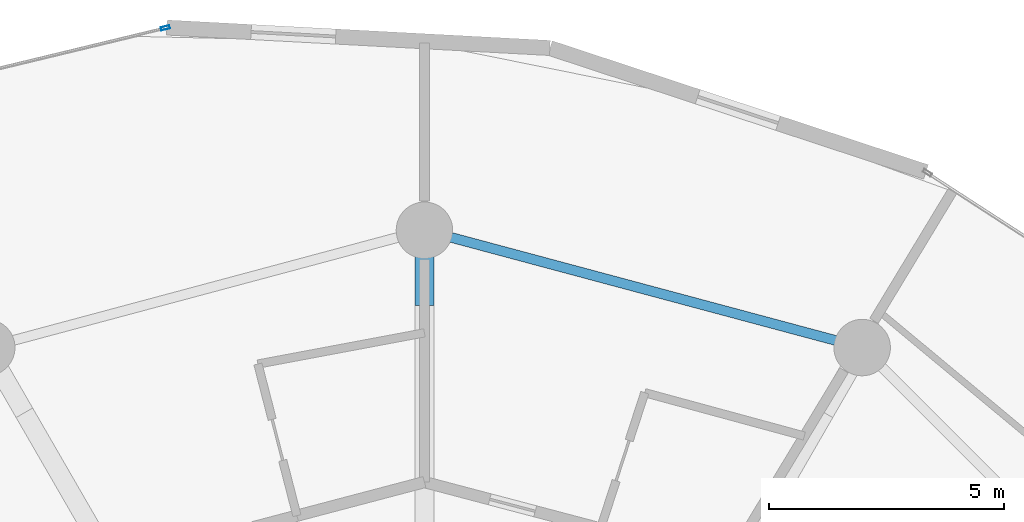
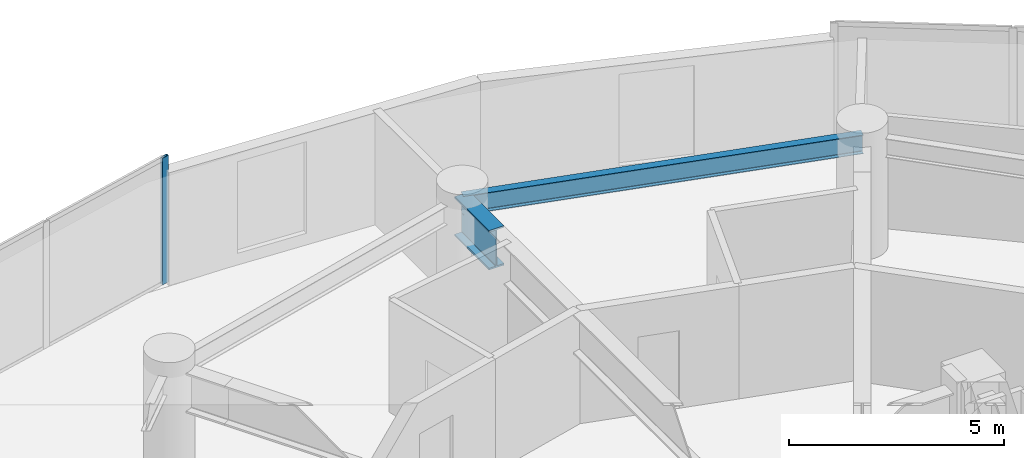
# One storey, part 15 of 24: 2 beams, 1 member, 1 element without a shape of its own.
"""IFC4 building model written with IfcOpenShell, lengths in metres."""

from ifc_helpers import new_model, si_unit, direction, frame, origin, origin_2d, place, context, subcontext, project, spatial, hollow_rectangle, i_section, extrude, source, transform, mapped, material, layer, layer_set, material_profile, profile_set, type_object, element, aggregate, save


model = new_model("IFC4")

# Units and contexts
model_context = context("Model", 3, precision=1e-05, world=origin(), true_north=direction((0.0, 1.0)))
body_context = subcontext(model_context, "Body", "Model", "MODEL_VIEW")
ifc_project = project(units=[si_unit("LENGTHUNIT", "METRE"), si_unit("AREAUNIT", "SQUARE_METRE"), si_unit("VOLUMEUNIT", "CUBIC_METRE"), si_unit("PLANEANGLEUNIT", "RADIAN"), si_unit("MASSUNIT", "GRAM", prefix="KILO")], contexts=[model_context])

# Site, building, storey
site_placement = place(None, origin())
site = spatial("IfcSite", under=ifc_project, at=site_placement, CompositionType="ELEMENT")
building_placement = place(site_placement, origin())
building = spatial("IfcBuilding", under=site, at=building_placement, Name="Solvirekh Grand Hotel", CompositionType="ELEMENT")
storey_placement = place(building_placement, frame((0.0, 0.0, 89.60009765625)))
storey = spatial("IfcBuildingStorey", under=building, at=storey_placement, Name="L22", CompositionType="ELEMENT", Elevation=89.60009765625)

# Beams
ifc_material_1 = material(Name="Steel S355", Category="steel")
ifc_material_profile_1 = material_profile(ifc_material_1, i_section(OverallWidth=0.208984375, OverallDepth=0.532958984375, WebThickness=0.010009765625, FlangeThickness=0.014892578125, FilletRadius=0.013916015625, at=origin_2d()), Name="W530X92")
ifc_profile_set_1 = profile_set([ifc_material_profile_1], Name="Steel S355")
beam_type_1 = type_object("IfcBeamType", Name="Spandrel_Ring_W530", PredefinedType="SPANDREL", material=ifc_profile_set_1)
beam_1_placement = place(storey_placement, frame((9.300048828125, 16.10791015625, 2.933837890625), z_axis=(-0.965919414426, 0.258842973314, 0.0), x_axis=(-0.258842973314, -0.965919414426, 0.0)))
element("IfcBeam", 1, at=beam_1_placement, inside=storey, type_object=beam_type_1, Name="L22 perimeter spandrel beam 3", PredefinedType="SPANDREL", context=body_context, shape_type="SweptSolid", body=[
    extrude(i_section(OverallWidth=0.208984375, OverallDepth=0.532958984375, WebThickness=0.010009765625, FlangeThickness=0.014892578125, FilletRadius=0.013916015625, at=origin_2d()), origin(), (0.0, 0.0, 1.0), 9.628173828125),
])
ifc_material_2 = material(Name="Steel S460", Category="steel")
ifc_material_profile_2 = material_profile(ifc_material_2, i_section(OverallWidth=0.405029296875, OverallDepth=1.117919921875, WebThickness=0.02587890625, FlangeThickness=0.048095703125, FilletRadius=0.02392578125, at=origin_2d()), Name="W1100X499")
ifc_profile_set_2 = profile_set([ifc_material_profile_2], Name="Steel S460")
beam_type_2 = type_object("IfcBeamType", Name="TransferGirder_W1100", PredefinedType="USERDEFINED", material=ifc_profile_set_2)
beam_2_placement = place(storey_placement, frame((0.0, 17.0, 2.640869140625), z_axis=(0.0, 1.0, 0.0), x_axis=(-1.0, 0.0, 0.0)))
element("IfcBeam", 2, at=beam_2_placement, inside=storey, type_object=beam_type_2, Name="L22 outer radial transfer girder 4B", ObjectType="TRANSFER GIRDER", PredefinedType="USERDEFINED", context=body_context, shape_type="SweptSolid", body=[
    extrude(i_section(OverallWidth=0.405029296875, OverallDepth=1.117919921875, WebThickness=0.02587890625, FlangeThickness=0.048095703125, FilletRadius=0.02392578125, at=origin_2d()), origin(), (0.0, 0.0, 1.0), 1.60009765625),
])

# Curtain wall, member
ifc_material_3 = material(Name="Anodized Bronze Aluminium 6063-T6", Category="aluminium")
ifc_layer = layer(ifc_material_3, 0.18994140625)
ifc_layer_set = layer_set([ifc_layer], Name="Anodized Bronze Aluminium 6063-T6")
curtain_wall_type = type_object("IfcCurtainWallType", Name="CW_Sys2_LowZoneFlushBronzeCW", PredefinedType="NOTDEFINED", material=ifc_layer_set)
curtain_wall_placement = place(storey_placement, origin())
curtain_wall = element("IfcCurtainWall", 3, at=curtain_wall_placement, inside=storey, type_object=curtain_wall_type, Name="L22 unitised bronze-glass curtain wall CW-L22-C08", PredefinedType="NOTDEFINED")
ifc_material_profile_3 = material_profile(ifc_material_3, hollow_rectangle(XDim=0.070068359375, YDim=0.18994140625, WallThickness=0.0048828125, at=origin_2d()), Name="ALU RHS 190X70X5")
ifc_profile_set_3 = profile_set([ifc_material_profile_3], Name="Anodized Bronze Aluminium 6063-T6")
member_type = type_object("IfcMemberType", Name="CWMullion_Sys2", PredefinedType="MULLION", material=ifc_profile_set_3)
shared_shape = source(origin(), body_context, "Body", "SweptSolid", [
    extrude(hollow_rectangle(XDim=0.070068359375, YDim=0.18994140625, WallThickness=0.0048828125, at=origin_2d()), origin(), (0.0, 0.0, 1.0), 3.599853515625),
])
member_placement = place(storey_placement, frame((-5.506103515625, 22.89990234375, 0.0), z_axis=(0.0, 0.0, 1.0), x_axis=(0.234648990915, -0.972080166994, 0.0)))
member = element("IfcMember", 4, at=member_placement, type_object=member_type, Name="U02 mullion 1", PredefinedType="MULLION", context=body_context, shape_type="MappedRepresentation", body=[
    mapped(shared_shape, transform((0.0, 0.0, 0.0), x_axis=(1.0, 0.0, 0.0), y_axis=(0.0, 1.0, 0.0), z_axis=(0.0, 0.0, 1.0), scale=1.0)),
])
aggregate(curtain_wall, [member])

save(model, "model.ifc")
